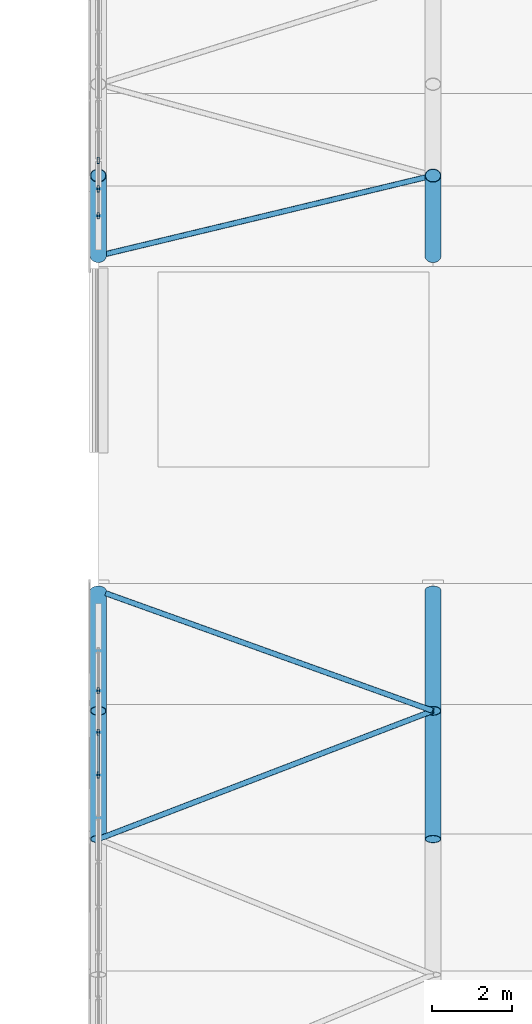
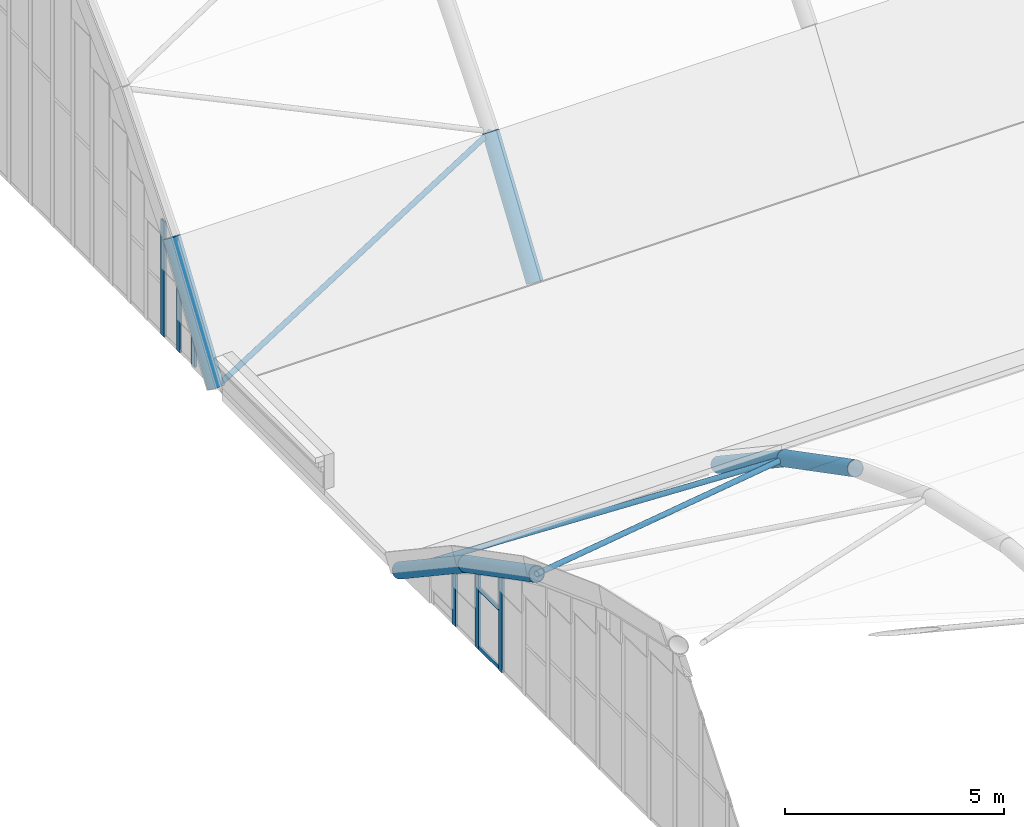
# One storey, part 13 of 77: 17 members, 2 elements without a shape of their own.
"""IFC4 building model written with IfcOpenShell, lengths in metres."""

from ifc_helpers import new_model, si_unit, direction, frame, origin, origin_2d, place, context, subcontext, project, spatial, hollow_rectangle, hollow_circle, extrude, material, material_profile, profile_set, type_object, element, aggregate, save


model = new_model("IFC4")

# Units and contexts
model_context = context("Model", 3, precision=1e-05, world=origin(), true_north=direction((0.0, 1.0)))
body_context = subcontext(model_context, "Body", "Model", "MODEL_VIEW")
ifc_project = project(units=[si_unit("LENGTHUNIT", "METRE"), si_unit("AREAUNIT", "SQUARE_METRE"), si_unit("VOLUMEUNIT", "CUBIC_METRE"), si_unit("PLANEANGLEUNIT", "RADIAN"), si_unit("MASSUNIT", "GRAM", prefix="KILO")], contexts=[model_context])

# Site, building, storey
site_placement = place(None, origin())
site = spatial("IfcSite", under=ifc_project, at=site_placement, CompositionType="ELEMENT")
building_placement = place(site_placement, origin())
building = spatial("IfcBuilding", under=site, at=building_placement, Name="Catenary Quay Ferry Terminal", CompositionType="ELEMENT")
storey_placement = place(building_placement, frame((0.0, 0.0, 10.800048828125)))
storey = spatial("IfcBuildingStorey", under=building, at=storey_placement, Name="L02", CompositionType="ELEMENT", Elevation=10.800048828125)

# Members
ifc_material_1 = material(Name="Steel S355", Category="steel")
ifc_material_profile_1 = material_profile(ifc_material_1, hollow_circle(Radius=0.06982421875, WallThickness=0.008056640625, at=origin_2d()), Name="CHS 139.7x8")
ifc_profile_set_1 = profile_set([ifc_material_profile_1], Name="Steel S355")
member_type_1 = type_object("IfcMemberType", Name="BR1 CHS 139.7x8", PredefinedType="BRACE", material=ifc_profile_set_1)
member_1_placement = place(storey_placement, frame((25.199951171875, 94.56201171875, 3.683837890625), z_axis=(0.918048391066, 0.3519092112, -0.182611770525), x_axis=(-0.357927730116, 0.933749291841, 0.0)))
element("IfcMember", 1, at=member_1_placement, inside=storey, type_object=member_type_1, Name="Roof brace BR-VA-01-09", PredefinedType="BRACE", context=body_context, shape_type="SweptSolid", body=[
    extrude(hollow_circle(Radius=0.06982421875, WallThickness=0.008056640625, at=origin_2d()), origin(), (0.0, 0.0, 1.0), 9.14990234375),
])
member_2_placement = place(storey_placement, frame((33.60009765625, 97.781982421875, 2.012939453125), z_axis=(-0.918047810509, 0.329844897402, -0.219978547311), x_axis=(-0.338127426869, -0.941100336414, 0.0)))
element("IfcMember", 2, at=member_2_placement, inside=storey, type_object=member_type_1, Name="Roof brace BR-VA-01-10", PredefinedType="BRACE", context=body_context, shape_type="SweptSolid", body=[
    extrude(hollow_circle(Radius=0.06982421875, WallThickness=0.008056640625, at=origin_2d()), origin(), (0.0, 0.0, 1.0), 8.9375),
])
member_3_placement = place(storey_placement, frame((25.39501953125, 109.2470703125, 0.06884765625), z_axis=(0.919550320875, 0.220557460622, 0.32524085528), x_axis=(-0.233238347253, 0.972419597381, 0.0)))
element("IfcMember", 3, at=member_3_placement, inside=storey, type_object=member_type_1, Name="Roof brace BR-VD-01-01", PredefinedType="BRACE", context=body_context, shape_type="SweptSolid", body=[
    extrude(hollow_circle(Radius=0.06982421875, WallThickness=0.008056640625, at=origin_2d()), origin(), (0.0, 0.0, 1.0), 8.9228515625),
])

# Curtain wall, members
ifc_material_2 = material(Name="Aluminium and glass", Category="aluminium")
curtain_wall_type = type_object("IfcCurtainWallType", Name="CWA", PredefinedType="NOTDEFINED", material=ifc_material_2)
curtain_wall_1_placement = place(storey_placement, origin())
curtain_wall_1 = element("IfcCurtainWall", 4, at=curtain_wall_1_placement, inside=storey, type_object=curtain_wall_type, Name="Arch arrivals hall curtain wall CW5", PredefinedType="NOTDEFINED")
ifc_material_3 = material(Name="Aluminium", Category="aluminium")
ifc_material_profile_2 = material_profile(ifc_material_3, hollow_rectangle(XDim=0.06005859375, YDim=0.159912109375, WallThickness=0.006103515625, at=origin_2d()), Name="MU5")
ifc_profile_set_2 = profile_set([ifc_material_profile_2], Name="Aluminium")
member_type_2 = type_object("IfcMemberType", Name="MU5", PredefinedType="MULLION", material=ifc_profile_set_2)
member_4_placement = place(storey_placement, frame((25.199951171875, 96.172119140625, 0.0), z_axis=(0.0, 0.0, 1.0), x_axis=(-1.0, 0.0, 0.0)))
member_4 = element("IfcMember", 5, at=member_4_placement, type_object=member_type_2, Name="CW5 mullion 25", PredefinedType="MULLION", context=body_context, shape_type="SweptSolid", body=[
    extrude(hollow_rectangle(XDim=0.06005859375, YDim=0.159912109375, WallThickness=0.006103515625, at=origin_2d()), origin(), (0.0, 0.0, 1.0), 2.62841796875),
])
member_5_placement = place(storey_placement, frame((25.199951171875, 97.245361328125, 0.0), z_axis=(0.0, 0.0, 1.0), x_axis=(-1.0, 0.0, 0.0)))
member_5 = element("IfcMember", 6, at=member_5_placement, type_object=member_type_2, Name="CW5 mullion 26", PredefinedType="MULLION", context=body_context, shape_type="SweptSolid", body=[
    extrude(hollow_rectangle(XDim=0.06005859375, YDim=0.159912109375, WallThickness=0.006103515625, at=origin_2d()), origin(), (0.0, 0.0, 1.0), 2.071533203125),
])
member_6_placement = place(storey_placement, frame((25.199951171875, 98.284912109375, 0.0), z_axis=(0.0, 0.0, 1.0), x_axis=(-1.0, 0.0, 0.0)))
member_6 = element("IfcMember", 7, at=member_6_placement, type_object=member_type_2, Name="CW5 mullion 27", PredefinedType="MULLION", context=body_context, shape_type="SweptSolid", body=[
    extrude(hollow_rectangle(XDim=0.06005859375, YDim=0.159912109375, WallThickness=0.006103515625, at=origin_2d()), origin(), (0.0, 0.0, 1.0), 1.45751953125),
])

curtain_wall_2_placement = place(storey_placement, origin())
curtain_wall_2 = element("IfcCurtainWall", 8, at=curtain_wall_2_placement, inside=storey, type_object=curtain_wall_type, Name="Arch departure hall curtain wall CW17", PredefinedType="NOTDEFINED")
member_7_placement = place(storey_placement, frame((25.199951171875, 110.20751953125, 0.0), z_axis=(0.0, 0.0, 1.0), x_axis=(-1.0, 0.0, 0.0)))
member_7 = element("IfcMember", 9, at=member_7_placement, type_object=member_type_2, Name="CW17 mullion 1", PredefinedType="MULLION", context=body_context, shape_type="SweptSolid", body=[
    extrude(hollow_rectangle(XDim=0.06005859375, YDim=0.159912109375, WallThickness=0.006103515625, at=origin_2d()), origin(), (0.0, 0.0, 1.0), 1.265380859375),
])
member_8_placement = place(storey_placement, frame((25.199951171875, 110.879150390625, 0.0), z_axis=(0.0, 0.0, 1.0), x_axis=(-1.0, 0.0, 0.0)))
member_8 = element("IfcMember", 10, at=member_8_placement, type_object=member_type_2, Name="CW17 mullion 2", PredefinedType="MULLION", context=body_context, shape_type="SweptSolid", body=[
    extrude(hollow_rectangle(XDim=0.06005859375, YDim=0.159912109375, WallThickness=0.006103515625, at=origin_2d()), origin(), (0.0, 0.0, 1.0), 2.255859375),
])
member_9_placement = place(storey_placement, frame((25.199951171875, 111.596923828125, 0.0), z_axis=(0.0, 0.0, 1.0), x_axis=(-1.0, 0.0, 0.0)))
member_9 = element("IfcMember", 11, at=member_9_placement, type_object=member_type_2, Name="CW17 mullion 3", PredefinedType="MULLION", context=body_context, shape_type="SweptSolid", body=[
    extrude(hollow_rectangle(XDim=0.06005859375, YDim=0.159912109375, WallThickness=0.006103515625, at=origin_2d()), origin(), (0.0, 0.0, 1.0), 3.211669921875),
])
aggregate(curtain_wall_2, [member_7, member_8, member_9])

# Member
ifc_material_4 = material(Name="Aluminium", Category="aluminium")
ifc_material_profile_3 = material_profile(ifc_material_4, hollow_rectangle(XDim=0.050048828125, YDim=0.10009765625, WallThickness=0.00390625, at=origin_2d()), Name="TR4")
ifc_profile_set_3 = profile_set([ifc_material_profile_3], Name="Aluminium")
member_type_3 = type_object("IfcMemberType", Name="TR4", PredefinedType="USERDEFINED", material=ifc_profile_set_3)
member_10_placement = place(storey_placement, frame((25.199951171875, 96.201904296875, 0.050048828125), z_axis=(0.0, 1.0, 0.0), x_axis=(-1.0, 0.0, 0.0)))
member_10 = element("IfcMember", 12, at=member_10_placement, type_object=member_type_3, Name="CW5 transom 25.1", ObjectType="TRANSOM", PredefinedType="USERDEFINED", context=body_context, shape_type="SweptSolid", body=[
    extrude(hollow_rectangle(XDim=0.050048828125, YDim=0.10009765625, WallThickness=0.00390625, at=origin_2d()), origin(), (0.0, 0.0, 1.0), 1.013427734375),
])

member_11_placement = place(storey_placement, frame((25.199951171875, 96.201904296875, 1.681396484375), z_axis=(0.0, 1.0, 0.0), x_axis=(-1.0, 0.0, 0.0)))
member_11 = element("IfcMember", 13, at=member_11_placement, type_object=member_type_3, Name="CW5 transom 25.2", ObjectType="TRANSOM", PredefinedType="USERDEFINED", context=body_context, shape_type="SweptSolid", body=[
    extrude(hollow_rectangle(XDim=0.050048828125, YDim=0.10009765625, WallThickness=0.00390625, at=origin_2d()), origin(), (0.0, 0.0, 1.0), 1.013427734375),
])

aggregate(curtain_wall_1, [member_4, member_5, member_6, member_10, member_11])

# Members
ifc_material_5 = material(Name="Steel S355", Category="steel")
ifc_material_profile_4 = material_profile(ifc_material_5, hollow_circle(Radius=0.203125, WallThickness=0.01611328125, at=origin_2d()), Name="CHS 406.4x16")
ifc_profile_set_4 = profile_set([ifc_material_profile_4], Name="Steel S355")
member_type_4 = type_object("IfcMemberType", Name="VR3 CHS 406.4x16", PredefinedType="RAFTER", material=ifc_profile_set_4)
for number, where, z_axis, x_axis, name in (
    (14, (25.199951171875, 94.56201171875, 3.683837890625), (0.0, 0.887609848797, -0.460596088041), (-1.0, 0.0, 0.0), "Vault rib VA-01-09"),
    (15, (25.199951171875, 97.781982421875, 2.012939453125), (0.0, 0.831936388081, -0.554871017613), (-1.0, 0.0, 0.0), "Vault rib VA-01-10"),
    (16, (33.60009765625, 94.56201171875, 3.683837890625), (0.0, 0.887609848797, -0.460596088041), (-1.0, 0.0, 0.0), "Vault rib VA-02-09"),
    (17, (33.60009765625, 97.781982421875, 2.012939453125), (0.0, 0.831936388081, -0.554871017613), (-1.0, 0.0, 0.0), "Vault rib VA-02-10"),
):
    element("IfcMember", number, at=place(storey_placement, frame(where, z_axis=z_axis, x_axis=x_axis)), inside=storey, type_object=member_type_4, Name=name, PredefinedType="RAFTER", context=body_context, shape_type="SweptSolid", body=[
        extrude(hollow_circle(Radius=0.203125, WallThickness=0.01611328125, at=origin_2d()), origin(), (0.0, 0.0, 1.0), 3.627685546875),
    ])
for number, where, z_axis, x_axis, name in (
    (18, (25.199951171875, 109.199951171875, 0.0), (0.0, 0.561336762899, 0.827587480945), (-1.0, 0.0, 0.0), "Vault rib VD-01-01"),
    (19, (33.60009765625, 109.199951171875, 0.0), (0.0, 0.561336762899, 0.827587480945), (-1.0, 0.0, 0.0), "Vault rib VD-02-01"),
):
    element("IfcMember", number, at=place(storey_placement, frame(where, z_axis=z_axis, x_axis=x_axis)), inside=storey, type_object=member_type_4, Name=name, PredefinedType="RAFTER", context=body_context, shape_type="SweptSolid", body=[
        extrude(hollow_circle(Radius=0.203125, WallThickness=0.01611328125, at=origin_2d()), origin(), (0.0, 0.0, 1.0), 3.58984375),
    ])

save(model, "model.ifc")
